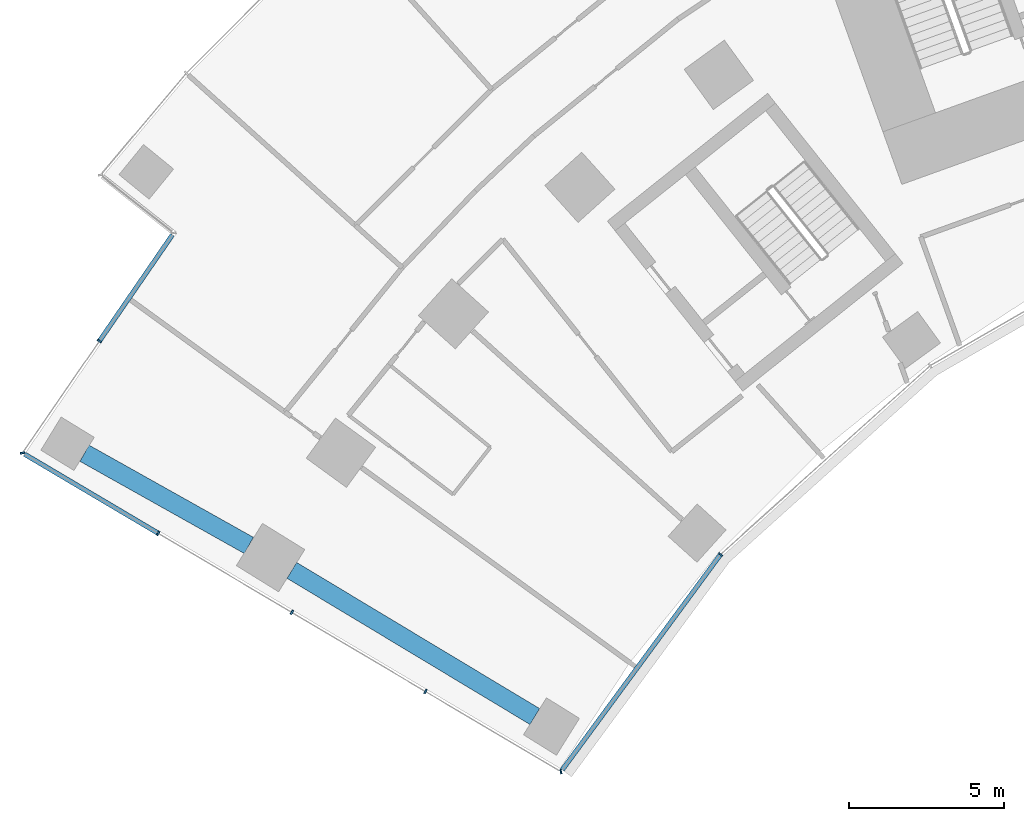
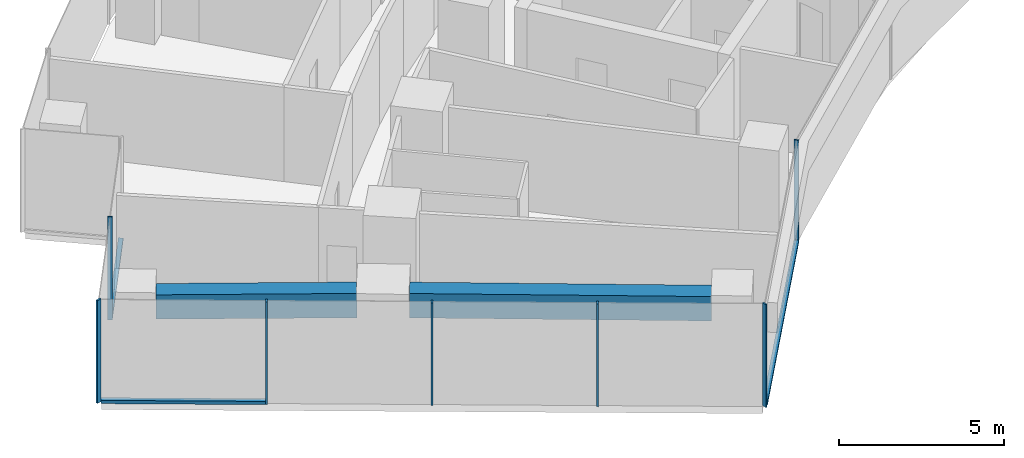
# One storey, part 2 of 21: 10 members, 2 beams, 3 elements without a shape of their own.
"""IFC4 building model written with IfcOpenShell, lengths in metres."""

from ifc_helpers import new_model, si_unit, direction, frame, origin, origin_2d, place, context, subcontext, project, spatial, rectangle, extrude, material, layer, layer_set, material_profile, profile_set, type_object, element, aggregate, save


model = new_model("IFC4")

# Units and contexts
model_context = context("Model", 3, precision=1e-05, world=origin(), true_north=direction((0.0, 1.0)))
body_context = subcontext(model_context, "Body", "Model", "MODEL_VIEW")
ifc_project = project(units=[si_unit("LENGTHUNIT", "METRE"), si_unit("AREAUNIT", "SQUARE_METRE"), si_unit("VOLUMEUNIT", "CUBIC_METRE"), si_unit("PLANEANGLEUNIT", "RADIAN"), si_unit("MASSUNIT", "GRAM", prefix="KILO")], contexts=[model_context])

# Site, building, storey
site_placement = place(None, origin())
site = spatial("IfcSite", under=ifc_project, at=site_placement, CompositionType="ELEMENT")
building_placement = place(site_placement, origin())
building = spatial("IfcBuilding", under=site, at=building_placement, Name="Stone Belt Terrace Tower", CompositionType="ELEMENT")
storey_placement = place(building_placement, frame((0.0, 0.0, 68.0)))
storey = spatial("IfcBuildingStorey", under=building, at=storey_placement, Name="L16", CompositionType="ELEMENT", Elevation=68.0)

# Curtain wall, members
ifc_material_1 = material(Name="Aluminium 6063-T6 anodised frame", Category="aluminium")
ifc_layer_1 = layer(ifc_material_1, 0.14990234375)
ifc_layer_set_1 = layer_set([ifc_layer_1], Name="CW-B unitised concave-face curtain wall")
curtain_wall_type_1 = type_object("IfcCurtainWallType", Name="CW-B unitised concave-face curtain wall", PredefinedType="NOTDEFINED", material=ifc_layer_set_1)
curtain_wall_1_placement = place(storey_placement, origin())
curtain_wall_1 = element("IfcCurtainWall", 1, at=curtain_wall_1_placement, inside=storey, type_object=curtain_wall_type_1, Name="CW-B concave face L16", PredefinedType="NOTDEFINED")
ifc_material_profile_1 = material_profile(ifc_material_1, rectangle(XDim=0.14990234375, YDim=0.050048828125, at=origin_2d()), Name="Aluminium 6063-T6 50x150")
ifc_profile_set_1 = profile_set([ifc_material_profile_1], Name="Aluminium 6063-T6 anodised frame")
member_type_1 = type_object("IfcMemberType", Name="CW-B mullion 50 x 150", PredefinedType="MULLION", material=ifc_profile_set_1)
member_1_placement = place(storey_placement, frame((-37.4140625, 22.0576171875, 0.0), z_axis=(0.0, 0.0, 1.0), x_axis=(-0.199957039009, 0.979804665508, 0.0)))
member_1 = element("IfcMember", 2, at=member_1_placement, type_object=member_type_1, Name="CW-B mullion 1", PredefinedType="MULLION", context=body_context, shape_type="SweptSolid", body=[
    extrude(rectangle(XDim=0.14990234375, YDim=0.050048828125, at=origin_2d()), origin(), (0.0, 0.0, 1.0), 3.800048828125),
])
member_2_placement = place(storey_placement, frame((-32.27099609375, 29.056640625, 0.0), z_axis=(0.0, 0.0, 1.0), x_axis=(-0.741329775891, 0.671140941515, 0.0)))
member_2 = element("IfcMember", 3, at=member_2_placement, type_object=member_type_1, Name="CW-B mullion 2", PredefinedType="MULLION", context=body_context, shape_type="SweptSolid", body=[
    extrude(rectangle(XDim=0.14990234375, YDim=0.050048828125, at=origin_2d()), origin(), (0.0, 0.0, 1.0), 3.800048828125),
])
ifc_material_profile_2 = material_profile(ifc_material_1, rectangle(XDim=0.14990234375, YDim=0.1201171875, at=origin_2d()), Name="Aluminium 6063-T6 150x120")
ifc_profile_set_2 = profile_set([ifc_material_profile_2], Name="Aluminium 6063-T6 anodised frame")
member_type_2 = type_object("IfcMemberType", Name="CW-B transom 120 x 150", PredefinedType="USERDEFINED", material=ifc_profile_set_2)
member_3_placement = place(storey_placement, frame((-37.373291015625, 22.11328125, 0.06005859375), z_axis=(0.592180847905, 0.805805090189, 0.0), x_axis=(-0.805805090189, 0.592180847905, 0.0)))
member_3 = element("IfcMember", 4, at=member_3_placement, type_object=member_type_2, Name="CW-B transom 1.1", ObjectType="TRANSOM", PredefinedType="USERDEFINED", context=body_context, shape_type="SweptSolid", body=[
    extrude(rectangle(XDim=0.14990234375, YDim=0.1201171875, at=origin_2d()), origin(), (0.0, 0.0, 1.0), 8.583984375),
])
aggregate(curtain_wall_1, [member_1, member_2, member_3])

# Curtain wall, member
ifc_layer_2 = layer(ifc_material_1, 0.14990234375)
ifc_layer_set_2 = layer_set([ifc_layer_2], Name="CW-C stick curtain wall, horn ends and notches")
curtain_wall_type_2 = type_object("IfcCurtainWallType", Name="CW-C stick curtain wall, horn ends and notches", PredefinedType="NOTDEFINED", material=ifc_layer_set_2)
curtain_wall_2_placement = place(storey_placement, origin())
curtain_wall_2 = element("IfcCurtainWall", 5, at=curtain_wall_2_placement, inside=storey, type_object=curtain_wall_type_2, Name="CW-C notch face L16", PredefinedType="NOTDEFINED")
ifc_material_profile_3 = material_profile(ifc_material_1, rectangle(XDim=0.14990234375, YDim=0.06005859375, at=origin_2d()), Name="Aluminium 6063-T6 60x150")
ifc_profile_set_3 = profile_set([ifc_material_profile_3], Name="Aluminium 6063-T6 anodised frame")
member_type_3 = type_object("IfcMemberType", Name="CW-C mullion 60 x 150", PredefinedType="MULLION", material=ifc_profile_set_3)
member_4_placement = place(storey_placement, frame((-52.275390625, 35.925048828125, 0.0), z_axis=(0.0, 0.0, 1.0), x_axis=(0.824146991357, -0.566375967567, 0.0)))
member_4 = element("IfcMember", 6, at=member_4_placement, type_object=member_type_3, Name="CW-C mullion 2", PredefinedType="MULLION", context=body_context, shape_type="SweptSolid", body=[
    extrude(rectangle(XDim=0.14990234375, YDim=0.06005859375, at=origin_2d()), origin(), (0.0, 0.0, 1.0), 3.800048828125),
])

# Curtain wall, members
curtain_wall_3_placement = place(storey_placement, origin())
curtain_wall_3 = element("IfcCurtainWall", 7, at=curtain_wall_3_placement, inside=storey, type_object=curtain_wall_type_2, Name="CW-C end face L16", PredefinedType="NOTDEFINED")
member_5_placement = place(storey_placement, frame((-54.752685546875, 32.3203125, 0.0), z_axis=(0.0, 0.0, 1.0), x_axis=(0.976519557331, 0.215428768157, 0.0)))
member_5 = element("IfcMember", 8, at=member_5_placement, type_object=member_type_3, Name="CW-C mullion 1", PredefinedType="MULLION", context=body_context, shape_type="SweptSolid", body=[
    extrude(rectangle(XDim=0.14990234375, YDim=0.06005859375, at=origin_2d()), origin(), (0.0, 0.0, 1.0), 3.800048828125),
])
member_6_placement = place(storey_placement, frame((-50.380859375, 29.732666015625, 0.0), z_axis=(0.0, 0.0, 1.0), x_axis=(0.509352918793, 0.860557728521, 0.0)))
member_6 = element("IfcMember", 9, at=member_6_placement, type_object=member_type_3, Name="CW-C mullion 2", PredefinedType="MULLION", context=body_context, shape_type="SweptSolid", body=[
    extrude(rectangle(XDim=0.14990234375, YDim=0.06005859375, at=origin_2d()), origin(), (0.0, 0.0, 1.0), 3.800048828125),
])
member_7_placement = place(storey_placement, frame((-46.078125, 27.185791015625, 0.0), z_axis=(0.0, 0.0, 1.0), x_axis=(0.509352918793, 0.860557728521, 0.0)))
member_7 = element("IfcMember", 10, at=member_7_placement, type_object=member_type_3, Name="CW-C mullion 3", PredefinedType="MULLION", context=body_context, shape_type="SweptSolid", body=[
    extrude(rectangle(XDim=0.14990234375, YDim=0.06005859375, at=origin_2d()), origin(), (0.0, 0.0, 1.0), 3.800048828125),
])
member_8_placement = place(storey_placement, frame((-41.775146484375, 24.63916015625, 0.0), z_axis=(0.0, 0.0, 1.0), x_axis=(0.509352918793, 0.860557728521, 0.0)))
member_8 = element("IfcMember", 11, at=member_8_placement, type_object=member_type_3, Name="CW-C mullion 4", PredefinedType="MULLION", context=body_context, shape_type="SweptSolid", body=[
    extrude(rectangle(XDim=0.14990234375, YDim=0.06005859375, at=origin_2d()), origin(), (0.0, 0.0, 1.0), 3.800048828125),
])

# Member
ifc_material_profile_4 = material_profile(ifc_material_1, rectangle(XDim=0.14990234375, YDim=0.1201171875, at=origin_2d()), Name="Aluminium 6063-T6 150x120")
ifc_profile_set_4 = profile_set([ifc_material_profile_4], Name="Aluminium 6063-T6 anodised frame")
member_type_4 = type_object("IfcMemberType", Name="CW-C transom 120 x 150", PredefinedType="USERDEFINED", material=ifc_profile_set_4)
member_9_placement = place(storey_placement, frame((-49.924560546875, 39.345703125, 0.06005859375), z_axis=(-0.566362850847, -0.824156005365, 0.0), x_axis=(0.824156005365, -0.566362850847, 0.0)))
member_9 = element("IfcMember", 12, at=member_9_placement, type_object=member_type_4, Name="CW-C transom 1.1", ObjectType="TRANSOM", PredefinedType="USERDEFINED", context=body_context, shape_type="SweptSolid", body=[
    extrude(rectangle(XDim=0.14990234375, YDim=0.1201171875, at=origin_2d()), origin(), (0.0, 0.0, 1.0), 4.12060546875),
])

aggregate(curtain_wall_2, [member_4, member_9])

member_10_placement = place(storey_placement, frame((-54.68798828125, 32.281982421875, 0.06005859375), z_axis=(0.860543319846, -0.509377261633, 0.0), x_axis=(0.509377261633, 0.860543319846, 0.0)))
member_10 = element("IfcMember", 13, at=member_10_placement, type_object=member_type_4, Name="CW-C transom 1.1", ObjectType="TRANSOM", PredefinedType="USERDEFINED", context=body_context, shape_type="SweptSolid", body=[
    extrude(rectangle(XDim=0.14990234375, YDim=0.1201171875, at=origin_2d()), origin(), (0.0, 0.0, 1.0), 4.97509765625),
])

aggregate(curtain_wall_3, [member_5, member_6, member_7, member_8, member_10])

# Beams
ifc_material_2 = material(Name="Concrete B60", Category="concrete")
ifc_material_profile_5 = material_profile(ifc_material_2, rectangle(XDim=0.60009765625, YDim=0.89990234375, at=origin_2d()), Name="RC 600x900")
ifc_profile_set_5 = profile_set([ifc_material_profile_5], Name="Concrete B60")
beam_type = type_object("IfcBeamType", Name="Edge beam RC 600x900 B60", PredefinedType="SPANDREL", material=ifc_profile_set_5)
beam_1_placement = place(storey_placement, frame((-38.253662109375, 23.83203125, 3.030029296875), z_axis=(-0.856900189152, 0.51548236229, 0.0), x_axis=(-0.51548236229, -0.856900189152, 0.0)))
element("IfcBeam", 14, at=beam_1_placement, inside=storey, type_object=beam_type, Name="Edge beam L16 A P to Q", PredefinedType="SPANDREL", context=body_context, shape_type="SweptSolid", body=[
    extrude(rectangle(XDim=0.60009765625, YDim=0.89990234375, at=origin_2d()), origin(), (0.0, 0.0, 1.0), 9.130859375),
])
beam_2_placement = place(storey_placement, frame((-47.4619140625, 29.3427734375, 3.030029296875), z_axis=(-0.872212947991, 0.489126336806, 0.0), x_axis=(-0.489126336806, -0.872212947991, 0.0)))
element("IfcBeam", 15, at=beam_2_placement, inside=storey, type_object=beam_type, Name="Edge beam L16 A Q to R", PredefinedType="SPANDREL", context=body_context, shape_type="SweptSolid", body=[
    extrude(rectangle(XDim=0.60009765625, YDim=0.89990234375, at=origin_2d()), origin(), (0.0, 0.0, 1.0), 6.069091796875),
])

save(model, "model.ifc")
